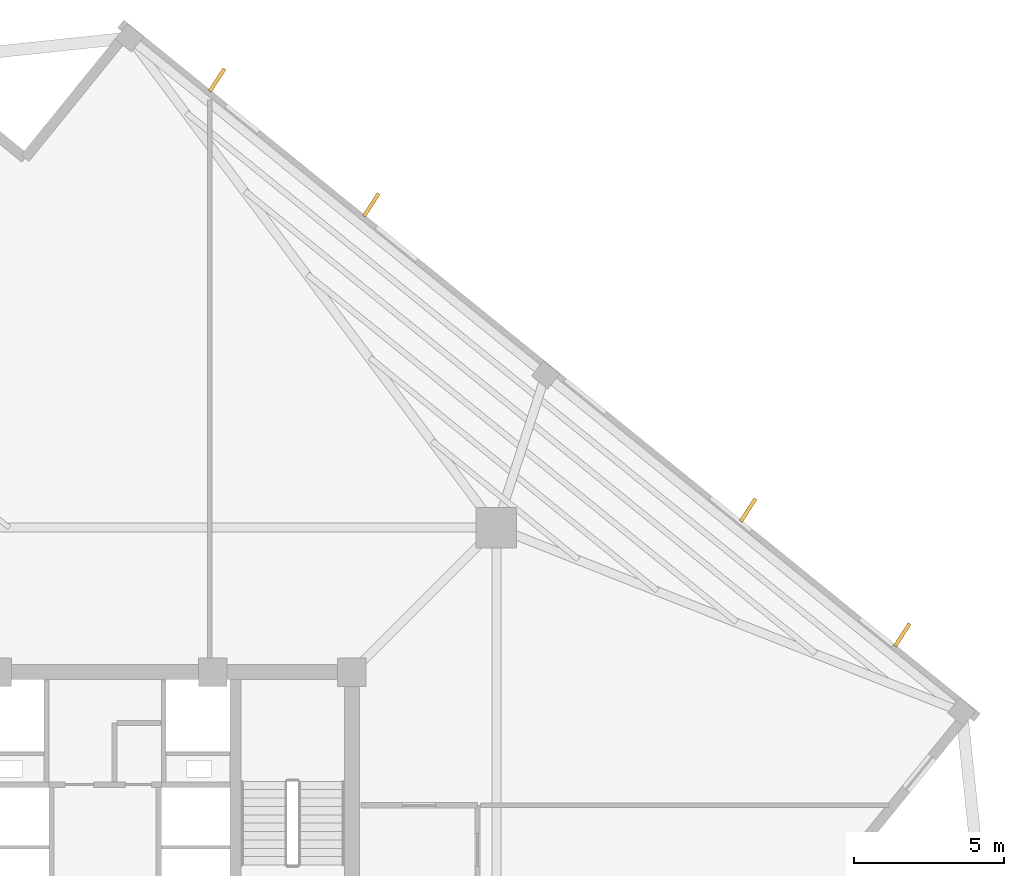
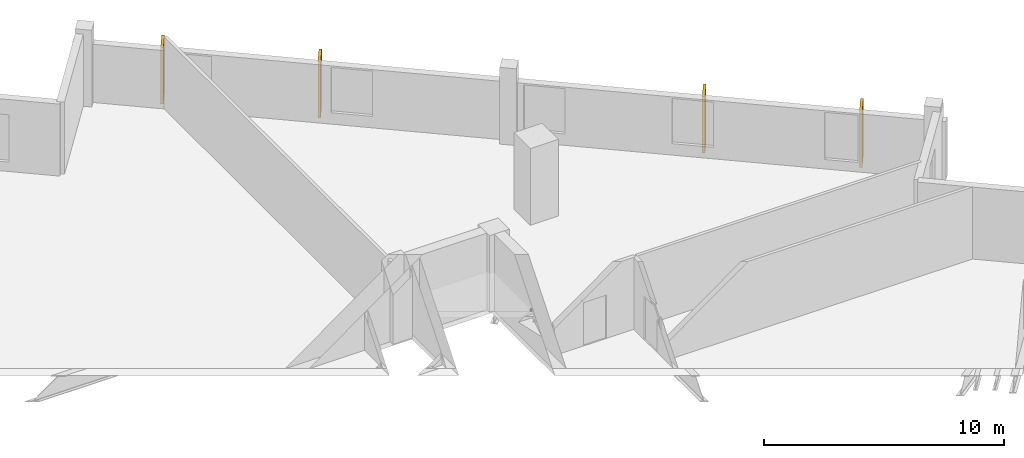
# One storey, part 9 of 9: 4 coverings.
"""IFC4 building model written with IfcOpenShell, lengths in metres."""

from ifc_helpers import new_model, si_unit, direction, frame, origin, origin_2d, place, context, subcontext, project, spatial, rectangle, extrude, source, transform, mapped, material, layer, layer_set, type_object, element, save


model = new_model("IFC4")

# Units and contexts
model_context = context("Model", 3, precision=1e-05, world=origin(), true_north=direction((0.0, 1.0)))
body_context = subcontext(model_context, "Body", "Model", "MODEL_VIEW")
ifc_project = project(units=[si_unit("LENGTHUNIT", "METRE"), si_unit("AREAUNIT", "SQUARE_METRE"), si_unit("VOLUMEUNIT", "CUBIC_METRE"), si_unit("PLANEANGLEUNIT", "RADIAN"), si_unit("MASSUNIT", "GRAM", prefix="KILO"), si_unit("THERMODYNAMICTEMPERATUREUNIT", "KELVIN")], contexts=[model_context])

# Site, building, storey
site_placement = place(None, origin())
site = spatial("IfcSite", under=ifc_project, at=site_placement, CompositionType="ELEMENT")
building_placement = place(site_placement, origin())
building = spatial("IfcBuilding", under=site, at=building_placement, Name="Kosmvard Interchange Tower", CompositionType="ELEMENT")
storey_placement = place(building_placement, frame((0.0, 0.0, 225.10009765625)))
storey = spatial("IfcBuildingStorey", under=building, at=storey_placement, Name="L54", CompositionType="ELEMENT", Elevation=225.10009765625)

# Coverings
ifc_material = material(Name="Architectural anodised aluminium", Category="aluminium")
ifc_layer = layer(ifc_material, 0.1201171875, Name="Architectural anodised aluminium")
ifc_layer_set = layer_set([ifc_layer], Name="Architectural anodised aluminium")
covering_type = type_object("IfcCoveringType", Name="Rotating Vertical Sun-Breaker Fin 900x120 Aluminium", PredefinedType="CLADDING", material=ifc_layer_set)
shared_shape = source(origin(), body_context, "Body", "SweptSolid", [
    extrude(rectangle(XDim=0.89990234375, YDim=0.1201171875, at=origin_2d()), origin(), (0.0, 0.0, 1.0), 2.8798828125),
])
for number, where, z_axis, x_axis, name in (
    (1, (26.650146484375, 9.494384765625, 0.0400390625), (0.0, 0.0, 1.0), (0.543467499475, 0.839430209734, 0.0), "L54 Rotating Vertical Sun-Breaker Fin 05"),
    (2, (21.49658203125, 13.66748046875, 0.0400390625), (0.0, 0.0, 1.0), (0.543467499475, 0.839430209734, 0.0), "L54 Rotating Vertical Sun-Breaker Fin 06"),
    (3, (8.8994140625, 23.86865234375, 0.0400390625), (0.0, 0.0, 1.0), (0.543467499475, 0.839430209734, 0.0), "L54 Rotating Vertical Sun-Breaker Fin 07"),
    (4, (3.74609375, 28.041748046875, 0.0400390625), (0.0, 0.0, 1.0), (0.543467499475, 0.839430209734, 0.0), "L54 Rotating Vertical Sun-Breaker Fin 08"),
):
    element("IfcCovering", number, at=place(storey_placement, frame(where, z_axis=z_axis, x_axis=x_axis)), inside=storey, type_object=covering_type, Name=name, PredefinedType="CLADDING", context=body_context, shape_type="MappedRepresentation", body=[
        mapped(shared_shape, transform((0.0, 0.0, 0.0), scale=1.0)),
    ])

save(model, "model.ifc")
